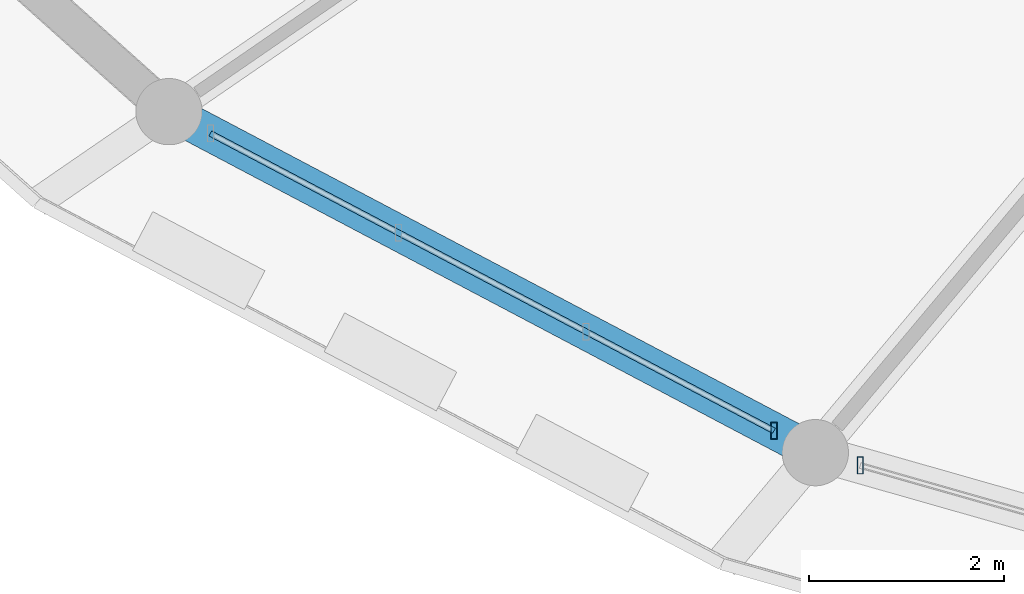
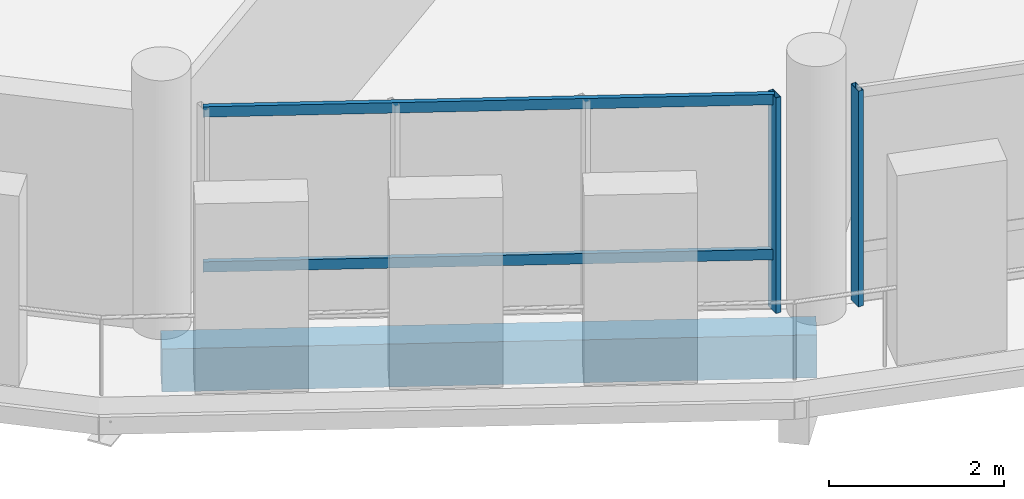
# One storey, part 40 of 128: 4 members, 1 beam, 2 elements without a shape of their own.
"""IFC4 building model written with IfcOpenShell, lengths in metres."""

from ifc_helpers import new_model, si_unit, direction, frame, origin, origin_2d, place, context, subcontext, project, spatial, rectangle, hollow_rectangle, extrude, material, material_profile, profile_set, type_object, element, aggregate, save


model = new_model("IFC4")

# Units and contexts
model_context = context("Model", 3, precision=1e-05, world=origin(), true_north=direction((0.0, 1.0)))
body_context = subcontext(model_context, "Body", "Model", "MODEL_VIEW")
ifc_project = project(units=[si_unit("LENGTHUNIT", "METRE"), si_unit("AREAUNIT", "SQUARE_METRE"), si_unit("VOLUMEUNIT", "CUBIC_METRE"), si_unit("PLANEANGLEUNIT", "RADIAN"), si_unit("MASSUNIT", "GRAM", prefix="KILO")], contexts=[model_context])

# Site, building, storey
site_placement = place(None, origin())
site = spatial("IfcSite", under=ifc_project, at=site_placement, CompositionType="ELEMENT")
building_placement = place(site_placement, origin())
building = spatial("IfcBuilding", under=site, at=building_placement, Name="Zornivar Specialist Clinic", CompositionType="ELEMENT")
storey_placement = place(building_placement, frame((0.0, 0.0, 4.5)))
storey = spatial("IfcBuildingStorey", under=building, at=storey_placement, Name="L01", CompositionType="ELEMENT", Elevation=4.5)

# Beam
ifc_material_1 = material(Name="Concrete C30/37", Category="concrete")
ifc_material_profile_1 = material_profile(ifc_material_1, rectangle(XDim=0.3701171875, YDim=0.60009765625, at=origin_2d()), Name="RC 370x600")
ifc_profile_set_1 = profile_set([ifc_material_profile_1], Name="Concrete C30/37")
beam_type = type_object("IfcBeamType", Name="BM-RC-SPANDREL-370x600", PredefinedType="SPANDREL", material=ifc_profile_set_1)
beam_placement = place(storey_placement, frame((70.972900390625, 42.0439453125, -0.5400390625), z_axis=(0.88443219536, -0.466668717412, 0.0), x_axis=(0.466668717412, 0.88443219536, 0.0)))
element("IfcBeam", 1, at=beam_placement, inside=storey, type_object=beam_type, Name="bm:V1:L01:outring:15", PredefinedType="SPANDREL", context=body_context, shape_type="SweptSolid", body=[
    extrude(rectangle(XDim=0.3701171875, YDim=0.60009765625, at=origin_2d()), origin(), (0.0, 0.0, 1.0), 7.4931640625),
])

# Curtain wall, member
ifc_material_2 = material(Name="Aluminium and Low-E Glass Curtain Wall", Category="aluminium")
curtain_wall_type = type_object("IfcCurtainWallType", Name="CW-DRUM-FACET", PredefinedType="NOTDEFINED", material=ifc_material_2)
curtain_wall_1_placement = place(storey_placement, origin())
curtain_wall_1 = element("IfcCurtainWall", 2, at=curtain_wall_1_placement, inside=storey, type_object=curtain_wall_type, Name="cw:V1:L01:c15", PredefinedType="NOTDEFINED")
ifc_material_3 = material(Name="Aluminium AW-6060", Category="aluminium")
ifc_material_profile_2 = material_profile(ifc_material_3, hollow_rectangle(XDim=0.06494140625, YDim=0.175048828125, WallThickness=0.00439453125, at=origin_2d()), Name="ALU 65x175x4.5")
ifc_profile_set_2 = profile_set([ifc_material_profile_2], Name="Aluminium AW-6060")
member_type_1 = type_object("IfcMemberType", Name="CWM-MUL-175", PredefinedType="MULLION", material=ifc_profile_set_2)
member_1_placement = place(storey_placement, frame((77.176025390625, 38.77099609375, 0.0), z_axis=(0.0, 0.0, 1.0), x_axis=(1.0, 0.0, 0.0)))
member_1 = element("IfcMember", 3, at=member_1_placement, type_object=member_type_1, Name="cw:V1:L01:c15:mul:3", PredefinedType="MULLION", context=body_context, shape_type="SweptSolid", body=[
    extrude(hollow_rectangle(XDim=0.06494140625, YDim=0.175048828125, WallThickness=0.00439453125, at=origin_2d()), origin(), (0.0, 0.0, 1.0), 3.010009765625),
])

curtain_wall_2_placement = place(storey_placement, origin())
curtain_wall_2 = element("IfcCurtainWall", 4, at=curtain_wall_2_placement, inside=storey, type_object=curtain_wall_type, Name="cw:V1:L01:c16", PredefinedType="NOTDEFINED")
member_2_placement = place(storey_placement, frame((78.06103515625, 38.416015625, 0.0), z_axis=(0.0, 0.0, 1.0), x_axis=(1.0, 0.0, 0.0)))
member_2 = element("IfcMember", 5, at=member_2_placement, type_object=member_type_1, Name="cw:V1:L01:c16:mul:0", PredefinedType="MULLION", context=body_context, shape_type="SweptSolid", body=[
    extrude(hollow_rectangle(XDim=0.06494140625, YDim=0.175048828125, WallThickness=0.00439453125, at=origin_2d()), origin(), (0.0, 0.0, 1.0), 3.010009765625),
])
aggregate(curtain_wall_2, [member_2])

# Member
ifc_material_4 = material(Name="Aluminium AW-6060", Category="aluminium")
ifc_material_profile_3 = material_profile(ifc_material_4, hollow_rectangle(XDim=0.06005859375, YDim=0.14501953125, WallThickness=0.00390625, at=origin_2d()), Name="ALU 60x145x4")
ifc_profile_set_3 = profile_set([ifc_material_profile_3], Name="Aluminium AW-6060")
member_type_2 = type_object("IfcMemberType", Name="CWM-TRN-145", PredefinedType="USERDEFINED", material=ifc_profile_set_3)
member_3_placement = place(storey_placement, frame((71.39697265625, 41.820068359375, 0.782958984375), z_axis=(0.884446868274, -0.466640908195, 0.0), x_axis=(0.466640908195, 0.884446868274, 0.0)))
member_3 = element("IfcMember", 6, at=member_3_placement, type_object=member_type_2, Name="cw:V1:L01:c15:trn:0", ObjectType="TRANSOM", PredefinedType="USERDEFINED", context=body_context, shape_type="SweptSolid", body=[
    extrude(hollow_rectangle(XDim=0.06005859375, YDim=0.14501953125, WallThickness=0.00390625, at=origin_2d()), origin(), (0.0, 0.0, 1.0), 6.5341796875),
])

member_4_placement = place(storey_placement, frame((71.39697265625, 41.820068359375, 2.945068359375), z_axis=(0.884446868274, -0.466640908195, 0.0), x_axis=(0.466640908195, 0.884446868274, 0.0)))
member_4 = element("IfcMember", 7, at=member_4_placement, type_object=member_type_2, Name="cw:V1:L01:c15:trn:1", ObjectType="TRANSOM", PredefinedType="USERDEFINED", context=body_context, shape_type="SweptSolid", body=[
    extrude(hollow_rectangle(XDim=0.06005859375, YDim=0.14501953125, WallThickness=0.00390625, at=origin_2d()), origin(), (0.0, 0.0, 1.0), 6.5341796875),
])

aggregate(curtain_wall_1, [member_1, member_3, member_4])

save(model, "model.ifc")
